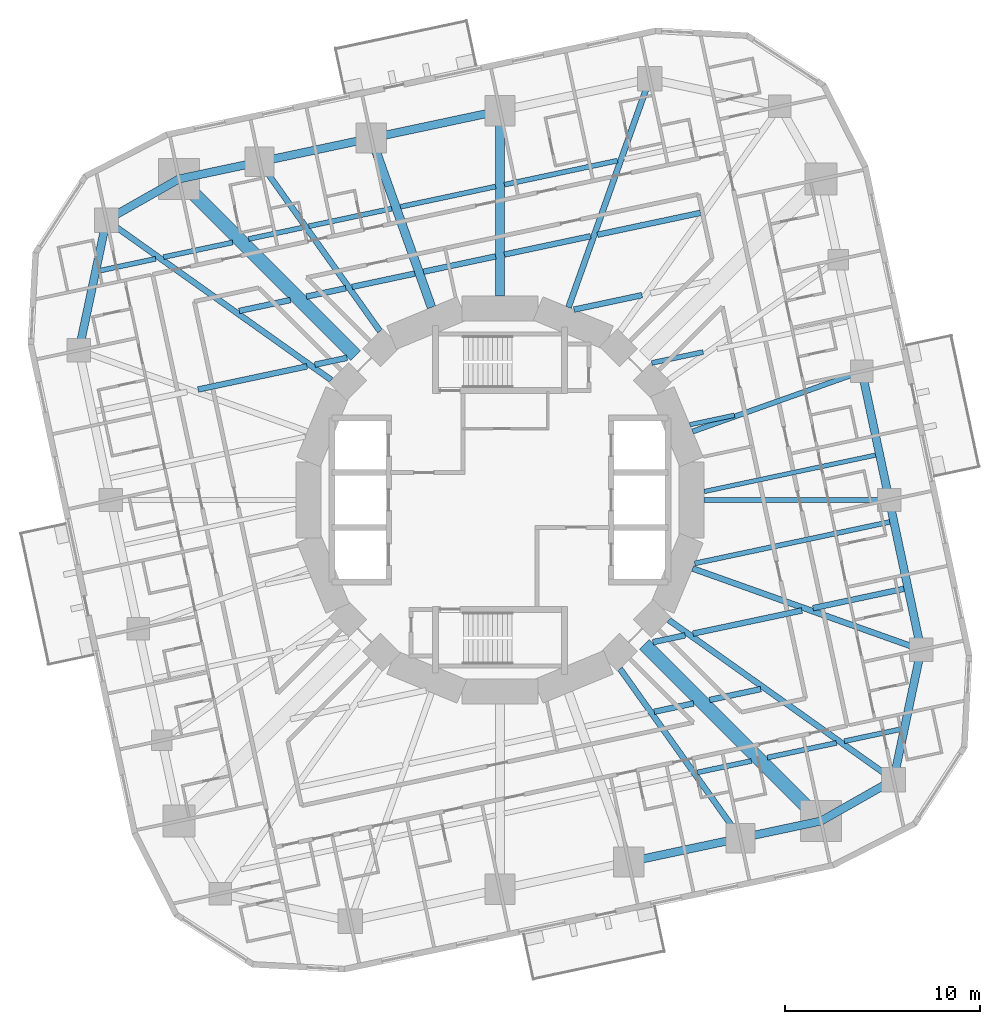
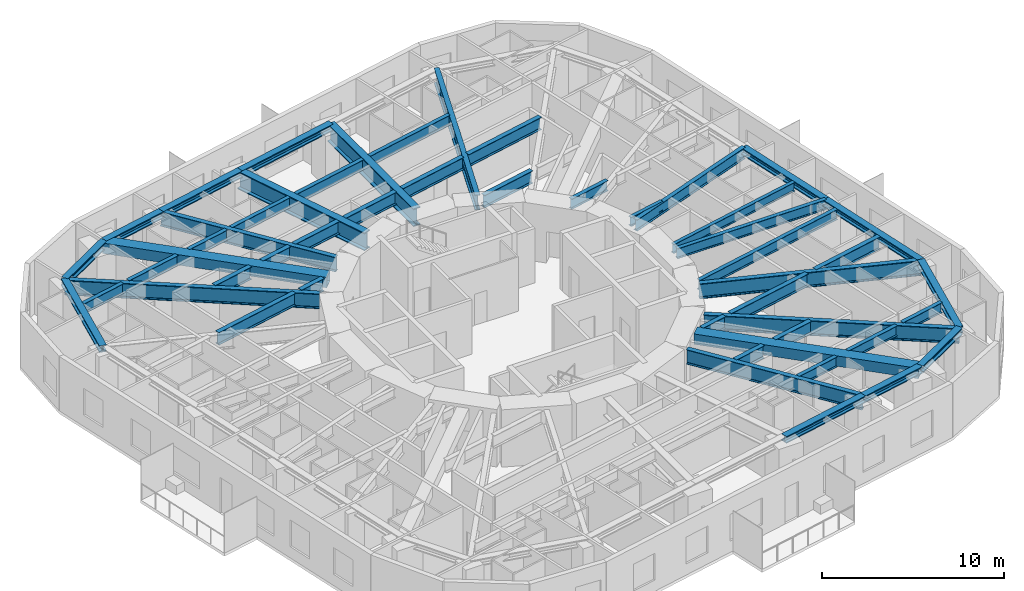
# One storey, part 2 of 13: 37 beams, 13 members.
"""IFC4 building model written with IfcOpenShell, lengths in metres."""

from ifc_helpers import new_model, si_unit, direction, frame, origin, origin_2d, place, context, subcontext, project, spatial, hollow_rectangle, i_section, extrude, material, material_profile, profile_set, type_object, element, save


model = new_model("IFC4")

# Units and contexts
model_context = context("Model", 3, precision=1e-05, world=origin(), true_north=direction((0.0, 1.0)))
body_context = subcontext(model_context, "Body", "Model", "MODEL_VIEW")
ifc_project = project(units=[si_unit("LENGTHUNIT", "METRE"), si_unit("AREAUNIT", "SQUARE_METRE"), si_unit("VOLUMEUNIT", "CUBIC_METRE"), si_unit("PLANEANGLEUNIT", "RADIAN"), si_unit("MASSUNIT", "GRAM", prefix="KILO")], contexts=[model_context])

# Site, building, storey
site_placement = place(None, origin())
site = spatial("IfcSite", under=ifc_project, at=site_placement, CompositionType="ELEMENT")
building_placement = place(site_placement, origin())
building = spatial("IfcBuilding", under=site, at=building_placement, Name="Nakasero Lantern House", CompositionType="ELEMENT")
storey_placement = place(building_placement, frame((0.0, 0.0, 131.949951171875)))
storey = spatial("IfcBuildingStorey", under=building, at=storey_placement, Name="L32", CompositionType="ELEMENT", Elevation=131.949951171875)

# Members
ifc_material_1 = material(Name="Steel S355", Category="steel")
ifc_material_profile_1 = material_profile(ifc_material_1, i_section(OverallWidth=0.41845703125, OverallDepth=0.45556640625, WebThickness=0.0419921875, FlangeThickness=0.0673828125, FilletRadius=0.01513671875, at=origin_2d()), Name="UC 356x406x551")
ifc_profile_set_1 = profile_set([ifc_material_profile_1], Name="Steel S355")
member_type_1 = type_object("IfcMemberType", Name="Belt truss chord UC 356x406x551", PredefinedType="CHORD", material=ifc_profile_set_1)
member_1_placement = place(storey_placement, frame((20.15625, -14.33349609375, 3.42236328125), z_axis=(0.206833925052, 0.978376066473, 0.0), x_axis=(-0.978376066473, 0.206833925052, 0.0)))
element("IfcMember", 1, at=member_1_placement, inside=storey, type_object=member_type_1, Name="Belt truss bottom chord T3 B3-C01", PredefinedType="CHORD", context=body_context, shape_type="SweptSolid", body=[
    extrude(i_section(OverallWidth=0.41845703125, OverallDepth=0.45556640625, WebThickness=0.0419921875, FlangeThickness=0.0673828125, FilletRadius=0.01513671875, at=origin_2d()), origin(), (0.0, 0.0, 1.0), 6.81298828125),
])
member_2_placement = place(storey_placement, frame((21.5654296875, -7.667724609375, 3.42236328125), z_axis=(-0.207918725139, 0.978146105516, 0.0), x_axis=(-0.978146105516, -0.207918725139, 0.0)))
element("IfcMember", 2, at=member_2_placement, inside=storey, type_object=member_type_1, Name="Belt truss bottom chord T3 B3-C02", PredefinedType="CHORD", context=body_context, shape_type="SweptSolid", body=[
    extrude(i_section(OverallWidth=0.41845703125, OverallDepth=0.45556640625, WebThickness=0.0419921875, FlangeThickness=0.0673828125, FilletRadius=0.01513671875, at=origin_2d()), origin(), (0.0, 0.0, 1.0), 7.839111328125),
])
for number, where, z_axis, x_axis, name in (
    (3, (19.935546875, 0.0, 3.42236328125), (-0.20789299389, 0.978151574702, 0.0), (-0.978151574702, -0.20789299389, 0.0), "Belt truss bottom chord T3 B3-C03"),
    (4, (0.0, 19.935546875, 3.42236328125), (-0.978151574702, -0.20789299389, 0.0), (0.20789299389, -0.978151574702, 0.0), "Belt truss bottom chord T3 B3-C09"),
):
    element("IfcMember", number, at=place(storey_placement, frame(where, z_axis=z_axis, x_axis=x_axis)), inside=storey, type_object=member_type_1, Name=name, PredefinedType="CHORD", context=body_context, shape_type="SweptSolid", body=[
        extrude(i_section(OverallWidth=0.41845703125, OverallDepth=0.45556640625, WebThickness=0.0419921875, FlangeThickness=0.0673828125, FilletRadius=0.01513671875, at=origin_2d()), origin(), (0.0, 0.0, 1.0), 6.7373046875),
    ])
member_3_placement = place(storey_placement, frame((-6.590087890625, 18.534912109375, 3.42236328125), z_axis=(-0.978149626621, -0.207902159541, 0.0), x_axis=(0.207902159541, -0.978149626621, 0.0)))
element("IfcMember", 5, at=member_3_placement, inside=storey, type_object=member_type_1, Name="Belt truss bottom chord T3 B3-C10", PredefinedType="CHORD", context=body_context, shape_type="SweptSolid", body=[
    extrude(i_section(OverallWidth=0.41845703125, OverallDepth=0.45556640625, WebThickness=0.0419921875, FlangeThickness=0.0673828125, FilletRadius=0.01513671875, at=origin_2d()), origin(), (0.0, 0.0, 1.0), 5.852783203125),
])
member_4_placement = place(storey_placement, frame((-12.31494140625, 17.318115234375, 3.42236328125), z_axis=(-0.978138252658, -0.207955665195, 0.0), x_axis=(0.207955665195, -0.978138252658, 0.0)))
element("IfcMember", 6, at=member_4_placement, inside=storey, type_object=member_type_1, Name="Belt truss bottom chord T3 B3-C11", PredefinedType="CHORD", context=body_context, shape_type="SweptSolid", body=[
    extrude(i_section(OverallWidth=0.41845703125, OverallDepth=0.45556640625, WebThickness=0.0419921875, FlangeThickness=0.0673828125, FilletRadius=0.01513671875, at=origin_2d()), origin(), (0.0, 0.0, 1.0), 4.21826171875),
])
member_5_placement = place(storey_placement, frame((-16.44091796875, 16.44091796875, 3.42236328125), z_axis=(-0.869814536213, -0.493378832737, 0.0), x_axis=(0.493378832737, -0.869814536213, 0.0)))
element("IfcMember", 7, at=member_5_placement, inside=storey, type_object=member_type_1, Name="Belt truss bottom chord T3 B3-C12", PredefinedType="CHORD", context=body_context, shape_type="SweptSolid", body=[
    extrude(i_section(OverallWidth=0.41845703125, OverallDepth=0.45556640625, WebThickness=0.0419921875, FlangeThickness=0.0673828125, FilletRadius=0.01513671875, at=origin_2d()), origin(), (0.0, 0.0, 1.0), 4.271484375),
])
member_6_placement = place(storey_placement, frame((-20.15625, 14.33349609375, 3.42236328125), z_axis=(-0.206833925052, -0.978376066473, 0.0), x_axis=(0.978376066473, -0.206833925052, 0.0)))
element("IfcMember", 8, at=member_6_placement, inside=storey, type_object=member_type_1, Name="Belt truss bottom chord T3 B3-C13", PredefinedType="CHORD", context=body_context, shape_type="SweptSolid", body=[
    extrude(i_section(OverallWidth=0.41845703125, OverallDepth=0.45556640625, WebThickness=0.0419921875, FlangeThickness=0.0673828125, FilletRadius=0.01513671875, at=origin_2d()), origin(), (0.0, 0.0, 1.0), 6.81298828125),
])
member_7_placement = place(storey_placement, frame((6.590087890625, -18.534912109375, 3.42236328125), z_axis=(0.978149626621, 0.207902159541, 0.0), x_axis=(-0.207902159541, 0.978149626621, 0.0)))
element("IfcMember", 9, at=member_7_placement, inside=storey, type_object=member_type_1, Name="Belt truss bottom chord T3 B3-C22", PredefinedType="CHORD", context=body_context, shape_type="SweptSolid", body=[
    extrude(i_section(OverallWidth=0.41845703125, OverallDepth=0.45556640625, WebThickness=0.0419921875, FlangeThickness=0.0673828125, FilletRadius=0.01513671875, at=origin_2d()), origin(), (0.0, 0.0, 1.0), 5.852783203125),
])
member_8_placement = place(storey_placement, frame((12.31494140625, -17.318115234375, 3.42236328125), z_axis=(0.978138252658, 0.207955665195, 0.0), x_axis=(-0.207955665195, 0.978138252658, 0.0)))
element("IfcMember", 10, at=member_8_placement, inside=storey, type_object=member_type_1, Name="Belt truss bottom chord T3 B3-C23", PredefinedType="CHORD", context=body_context, shape_type="SweptSolid", body=[
    extrude(i_section(OverallWidth=0.41845703125, OverallDepth=0.45556640625, WebThickness=0.0419921875, FlangeThickness=0.0673828125, FilletRadius=0.01513671875, at=origin_2d()), origin(), (0.0, 0.0, 1.0), 4.21826171875),
])
member_9_placement = place(storey_placement, frame((16.44091796875, -16.44091796875, 3.42236328125), z_axis=(0.869814536213, 0.493378832737, 0.0), x_axis=(-0.493378832737, 0.869814536213, 0.0)))
element("IfcMember", 11, at=member_9_placement, inside=storey, type_object=member_type_1, Name="Belt truss bottom chord T3 B3-C24", PredefinedType="CHORD", context=body_context, shape_type="SweptSolid", body=[
    extrude(i_section(OverallWidth=0.41845703125, OverallDepth=0.45556640625, WebThickness=0.0419921875, FlangeThickness=0.0673828125, FilletRadius=0.01513671875, at=origin_2d()), origin(), (0.0, 0.0, 1.0), 4.271484375),
])

# Beams
ifc_material_2 = material(Name="Steel S355", Category="steel")
ifc_material_profile_2 = material_profile(ifc_material_2, i_section(OverallWidth=0.22900390625, OverallDepth=0.6123046875, WebThickness=0.011962890625, FlangeThickness=0.01953125, FilletRadius=0.0126953125, at=origin_2d()), Name="UB 610x229x125")
ifc_profile_set_2 = profile_set([ifc_material_profile_2], Name="Steel S355")
beam_type_1 = type_object("IfcBeamType", Name="Infill beam UB 610x229x125", PredefinedType="JOIST", material=ifc_profile_set_2)
beam_1_placement = place(storey_placement, frame((10.457763671875, 0.433837890625, 3.343994140625), z_axis=(0.978148337079, 0.207908226555, 0.0), x_axis=(-0.207908226555, 0.978148337079, 0.0)))
element("IfcBeam", 12, at=beam_1_placement, inside=storey, type_object=beam_type_1, Name="Infill beam L33 07.2", PredefinedType="JOIST", context=body_context, shape_type="SweptSolid", body=[
    extrude(i_section(OverallWidth=0.22900390625, OverallDepth=0.6123046875, WebThickness=0.011962890625, FlangeThickness=0.01953125, FilletRadius=0.0126953125, at=origin_2d()), origin(), (0.0, 0.0, 1.0), 8.971435546875),
])
beam_2_placement = place(storey_placement, frame((9.722412109375, 3.855712890625, 3.343994140625), z_axis=(0.978152481644, 0.207888726617, 0.0), x_axis=(-0.207888726617, 0.978152481644, 0.0)))
element("IfcBeam", 13, at=beam_2_placement, inside=storey, type_object=beam_type_1, Name="Infill beam L33 08.2", PredefinedType="JOIST", context=body_context, shape_type="SweptSolid", body=[
    extrude(i_section(OverallWidth=0.22900390625, OverallDepth=0.6123046875, WebThickness=0.011962890625, FlangeThickness=0.01953125, FilletRadius=0.0126953125, at=origin_2d()), origin(), (0.0, 0.0, 1.0), 2.338134765625),
])
ifc_material_3 = material(Name="Steel S355", Category="steel")
ifc_material_profile_3 = material_profile(ifc_material_3, i_section(OverallWidth=0.253662109375, OverallDepth=0.68359375, WebThickness=0.012451171875, FlangeThickness=0.01904296875, FilletRadius=0.01513671875, at=origin_2d()), Name="UB 686x254x140")
ifc_profile_set_3 = profile_set([ifc_material_profile_3], Name="Steel S355")
beam_type_2 = type_object("IfcBeamType", Name="Infill beam UB 686x254x140", PredefinedType="JOIST", material=ifc_profile_set_3)
beam_3_placement = place(storey_placement, frame((10.106689453125, -13.95361328125, 3.308349609375), z_axis=(0.978143699529, 0.207930043696, 0.0), x_axis=(-0.207930043696, 0.978143699529, 0.0)))
element("IfcBeam", 14, at=beam_3_placement, inside=storey, type_object=beam_type_2, Name="Infill beam L33 03.5", PredefinedType="JOIST", context=body_context, shape_type="SweptSolid", body=[
    extrude(i_section(OverallWidth=0.253662109375, OverallDepth=0.68359375, WebThickness=0.012451171875, FlangeThickness=0.01904296875, FilletRadius=0.01513671875, at=origin_2d()), origin(), (0.0, 0.0, 1.0), 2.826171875),
])
beam_4_placement = place(storey_placement, frame((13.6875, -13.1923828125, 3.308349609375), z_axis=(0.978159878312, 0.207853920967, 0.0), x_axis=(-0.207853920967, 0.978159878312, 0.0)))
element("IfcBeam", 15, at=beam_4_placement, inside=storey, type_object=beam_type_2, Name="Infill beam L33 03.6", PredefinedType="JOIST", context=body_context, shape_type="SweptSolid", body=[
    extrude(i_section(OverallWidth=0.253662109375, OverallDepth=0.68359375, WebThickness=0.012451171875, FlangeThickness=0.01904296875, FilletRadius=0.01513671875, at=origin_2d()), origin(), (0.0, 0.0, 1.0), 3.62353515625),
])
beam_5_placement = place(storey_placement, frame((17.633056640625, -12.353759765625, 3.308349609375), z_axis=(0.978159488398, 0.20785575589, 0.0), x_axis=(-0.20785575589, 0.978159488398, 0.0)))
element("IfcBeam", 16, at=beam_5_placement, inside=storey, type_object=beam_type_2, Name="Infill beam L33 03.7", PredefinedType="JOIST", context=body_context, shape_type="SweptSolid", body=[
    extrude(i_section(OverallWidth=0.253662109375, OverallDepth=0.68359375, WebThickness=0.012451171875, FlangeThickness=0.01904296875, FilletRadius=0.01513671875, at=origin_2d()), origin(), (0.0, 0.0, 1.0), 2.919921875),
])
beam_6_placement = place(storey_placement, frame((9.974365234375, -3.2470703125, 3.308349609375), z_axis=(0.978149612104, 0.207902227842, 0.0), x_axis=(-0.207902227842, 0.978149612104, 0.0)))
element("IfcBeam", 17, at=beam_6_placement, inside=storey, type_object=beam_type_2, Name="Infill beam L33 06.3", PredefinedType="JOIST", context=body_context, shape_type="SweptSolid", body=[
    extrude(i_section(OverallWidth=0.253662109375, OverallDepth=0.68359375, WebThickness=0.012451171875, FlangeThickness=0.01904296875, FilletRadius=0.01513671875, at=origin_2d()), origin(), (0.0, 0.0, 1.0), 10.20947265625),
])
beam_7_placement = place(storey_placement, frame((7.770751953125, 7.01904296875, 3.308349609375), z_axis=(0.978149867125, 0.207901027998, 0.0), x_axis=(-0.207901027998, 0.978149867125, 0.0)))
element("IfcBeam", 18, at=beam_7_placement, inside=storey, type_object=beam_type_2, Name="Infill beam L33 09.2", PredefinedType="JOIST", context=body_context, shape_type="SweptSolid", body=[
    extrude(i_section(OverallWidth=0.253662109375, OverallDepth=0.68359375, WebThickness=0.012451171875, FlangeThickness=0.01904296875, FilletRadius=0.01513671875, at=origin_2d()), origin(), (0.0, 0.0, 1.0), 2.69384765625),
])
beam_8_placement = place(storey_placement, frame((-20.4892578125, 11.746826171875, 3.308349609375), z_axis=(0.978159488398, 0.20785575589, 0.0), x_axis=(-0.20785575589, 0.978159488398, 0.0)))
element("IfcBeam", 19, at=beam_8_placement, inside=storey, type_object=beam_type_2, Name="Infill beam L33 12.1", PredefinedType="JOIST", context=body_context, shape_type="SweptSolid", body=[
    extrude(i_section(OverallWidth=0.253662109375, OverallDepth=0.68359375, WebThickness=0.012451171875, FlangeThickness=0.01904296875, FilletRadius=0.01513671875, at=origin_2d()), origin(), (0.0, 0.0, 1.0), 2.919921875),
])
beam_9_placement = place(storey_placement, frame((-17.23193359375, 12.439208984375, 3.308349609375), z_axis=(0.978159878312, 0.207853920967, 0.0), x_axis=(-0.207853920967, 0.978159878312, 0.0)))
element("IfcBeam", 20, at=beam_9_placement, inside=storey, type_object=beam_type_2, Name="Infill beam L33 12.2", PredefinedType="JOIST", context=body_context, shape_type="SweptSolid", body=[
    extrude(i_section(OverallWidth=0.253662109375, OverallDepth=0.68359375, WebThickness=0.012451171875, FlangeThickness=0.01904296875, FilletRadius=0.01513671875, at=origin_2d()), origin(), (0.0, 0.0, 1.0), 3.62353515625),
])
beam_10_placement = place(storey_placement, frame((-12.87109375, 13.365966796875, 3.308349609375), z_axis=(0.978143699529, 0.207930043696, 0.0), x_axis=(-0.207930043696, 0.978143699529, 0.0)))
element("IfcBeam", 21, at=beam_10_placement, inside=storey, type_object=beam_type_2, Name="Infill beam L33 12.3", PredefinedType="JOIST", context=body_context, shape_type="SweptSolid", body=[
    extrude(i_section(OverallWidth=0.253662109375, OverallDepth=0.68359375, WebThickness=0.012451171875, FlangeThickness=0.01904296875, FilletRadius=0.01513671875, at=origin_2d()), origin(), (0.0, 0.0, 1.0), 2.826171875),
])
beam_11_placement = place(storey_placement, frame((-9.786865234375, 14.021484375, 3.308349609375), z_axis=(0.978138100203, 0.207956382282, 0.0), x_axis=(-0.207956382282, 0.978138100203, 0.0)))
element("IfcBeam", 22, at=beam_11_placement, inside=storey, type_object=beam_type_2, Name="Infill beam L33 12.4", PredefinedType="JOIST", context=body_context, shape_type="SweptSolid", body=[
    extrude(i_section(OverallWidth=0.253662109375, OverallDepth=0.68359375, WebThickness=0.012451171875, FlangeThickness=0.01904296875, FilletRadius=0.01513671875, at=origin_2d()), origin(), (0.0, 0.0, 1.0), 4.336669921875),
])
beam_12_placement = place(storey_placement, frame((-5.100830078125, 15.017578125, 3.308349609375), z_axis=(0.978147272959, 0.207913232873, 0.0), x_axis=(-0.207913232873, 0.978147272959, 0.0)))
element("IfcBeam", 23, at=beam_12_placement, inside=storey, type_object=beam_type_2, Name="Infill beam L33 12.5", PredefinedType="JOIST", context=body_context, shape_type="SweptSolid", body=[
    extrude(i_section(OverallWidth=0.253662109375, OverallDepth=0.68359375, WebThickness=0.012451171875, FlangeThickness=0.01904296875, FilletRadius=0.01513671875, at=origin_2d()), origin(), (0.0, 0.0, 1.0), 4.984619140625),
])
beam_13_placement = place(storey_placement, frame((0.22509765625, 16.149658203125, 3.308349609375), z_axis=(0.978144288805, 0.207927271606, 0.0), x_axis=(-0.207927271606, 0.978144288805, 0.0)))
element("IfcBeam", 24, at=beam_13_placement, inside=storey, type_object=beam_type_2, Name="Infill beam L33 12.6", PredefinedType="JOIST", context=body_context, shape_type="SweptSolid", body=[
    extrude(i_section(OverallWidth=0.253662109375, OverallDepth=0.68359375, WebThickness=0.012451171875, FlangeThickness=0.01904296875, FilletRadius=0.01513671875, at=origin_2d()), origin(), (0.0, 0.0, 1.0), 5.923583984375),
])
ifc_material_4 = material(Name="Steel S355", Category="steel")
ifc_material_profile_4 = material_profile(ifc_material_4, i_section(OverallWidth=0.29248046875, OverallDepth=0.8408203125, WebThickness=0.0146484375, FlangeThickness=0.02685546875, FilletRadius=0.017822265625, at=origin_2d()), Name="UB 838x292x194")
ifc_profile_set_4 = profile_set([ifc_material_profile_4], Name="Steel S355")
beam_type_3 = type_object("IfcBeamType", Name="Infill beam UB 838x292x194", PredefinedType="JOIST", material=ifc_profile_set_4)
beam_14_placement = place(storey_placement, frame((7.896240234375, -10.84521484375, 3.229736328125), z_axis=(0.978149853786, 0.207901090757, 0.0), x_axis=(-0.207901090757, 0.978149853786, 0.0)))
element("IfcBeam", 25, at=beam_14_placement, inside=storey, type_object=beam_type_3, Name="Infill beam L33 04.5", PredefinedType="JOIST", context=body_context, shape_type="SweptSolid", body=[
    extrude(i_section(OverallWidth=0.29248046875, OverallDepth=0.8408203125, WebThickness=0.0146484375, FlangeThickness=0.02685546875, FilletRadius=0.017822265625, at=origin_2d()), origin(), (0.0, 0.0, 1.0), 2.069091796875),
])
beam_15_placement = place(storey_placement, frame((10.736572265625, -10.241455078125, 3.229736328125), z_axis=(0.97815560964, 0.207874008307, 0.0), x_axis=(-0.207874008307, 0.97815560964, 0.0)))
element("IfcBeam", 26, at=beam_15_placement, inside=storey, type_object=beam_type_3, Name="Infill beam L33 04.6", PredefinedType="JOIST", context=body_context, shape_type="SweptSolid", body=[
    extrude(i_section(OverallWidth=0.29248046875, OverallDepth=0.8408203125, WebThickness=0.0146484375, FlangeThickness=0.02685546875, FilletRadius=0.017822265625, at=origin_2d()), origin(), (0.0, 0.0, 1.0), 2.68017578125),
])
beam_16_placement = place(storey_placement, frame((7.829833984375, -7.28125, 3.229736328125), z_axis=(0.978126554769, 0.208010679667, 0.0), x_axis=(-0.208010679667, 0.978126554769, 0.0)))
element("IfcBeam", 27, at=beam_16_placement, inside=storey, type_object=beam_type_3, Name="Infill beam L33 05.3", PredefinedType="JOIST", context=body_context, shape_type="SweptSolid", body=[
    extrude(i_section(OverallWidth=0.29248046875, OverallDepth=0.8408203125, WebThickness=0.0146484375, FlangeThickness=0.02685546875, FilletRadius=0.017822265625, at=origin_2d()), origin(), (0.0, 0.0, 1.0), 1.69140625),
])
beam_17_placement = place(storey_placement, frame((9.88525390625, -6.84423828125, 3.229736328125), z_axis=(0.978148185922, 0.207908937706, 0.0), x_axis=(-0.207908937706, 0.978148185922, 0.0)))
element("IfcBeam", 28, at=beam_17_placement, inside=storey, type_object=beam_type_3, Name="Infill beam L33 05.4", PredefinedType="JOIST", context=body_context, shape_type="SweptSolid", body=[
    extrude(i_section(OverallWidth=0.29248046875, OverallDepth=0.8408203125, WebThickness=0.0146484375, FlangeThickness=0.02685546875, FilletRadius=0.017822265625, at=origin_2d()), origin(), (0.0, 0.0, 1.0), 5.7021484375),
])
beam_18_placement = place(storey_placement, frame((16.029052734375, -5.538330078125, 3.229736328125), z_axis=(0.978154291668, 0.207880209956, 0.0), x_axis=(-0.207880209956, 0.978154291668, 0.0)))
element("IfcBeam", 29, at=beam_18_placement, inside=storey, type_object=beam_type_3, Name="Infill beam L33 05.5", PredefinedType="JOIST", context=body_context, shape_type="SweptSolid", body=[
    extrude(i_section(OverallWidth=0.29248046875, OverallDepth=0.8408203125, WebThickness=0.0146484375, FlangeThickness=0.02685546875, FilletRadius=0.017822265625, at=origin_2d()), origin(), (0.0, 0.0, 1.0), 4.763427734375),
])
beam_19_placement = place(storey_placement, frame((-15.462890625, 5.65869140625, 3.229736328125), z_axis=(0.978148185922, 0.207908937706, 0.0), x_axis=(-0.207908937706, 0.978148185922, 0.0)))
element("IfcBeam", 30, at=beam_19_placement, inside=storey, type_object=beam_type_3, Name="Infill beam L33 10.2", PredefinedType="JOIST", context=body_context, shape_type="SweptSolid", body=[
    extrude(i_section(OverallWidth=0.29248046875, OverallDepth=0.8408203125, WebThickness=0.0146484375, FlangeThickness=0.02685546875, FilletRadius=0.017822265625, at=origin_2d()), origin(), (0.0, 0.0, 1.0), 5.7021484375),
])
beam_20_placement = place(storey_placement, frame((-9.484130859375, 6.929443359375, 3.229736328125), z_axis=(0.978126554769, 0.208010679667, 0.0), x_axis=(-0.208010679667, 0.978126554769, 0.0)))
element("IfcBeam", 31, at=beam_20_placement, inside=storey, type_object=beam_type_3, Name="Infill beam L33 10.3", PredefinedType="JOIST", context=body_context, shape_type="SweptSolid", body=[
    extrude(i_section(OverallWidth=0.29248046875, OverallDepth=0.8408203125, WebThickness=0.0146484375, FlangeThickness=0.02685546875, FilletRadius=0.017822265625, at=origin_2d()), origin(), (0.0, 0.0, 1.0), 1.69140625),
])
beam_21_placement = place(storey_placement, frame((3.78759765625, 9.75048828125, 3.229736328125), z_axis=(0.978144754651, 0.207925080134, 0.0), x_axis=(-0.207925080134, 0.978144754651, 0.0)))
element("IfcBeam", 32, at=beam_21_placement, inside=storey, type_object=beam_type_3, Name="Infill beam L33 10.4", PredefinedType="JOIST", context=body_context, shape_type="SweptSolid", body=[
    extrude(i_section(OverallWidth=0.29248046875, OverallDepth=0.8408203125, WebThickness=0.0146484375, FlangeThickness=0.02685546875, FilletRadius=0.017822265625, at=origin_2d()), origin(), (0.0, 0.0, 1.0), 3.56591796875),
])
beam_22_placement = place(storey_placement, frame((-13.358154296875, 9.684326171875, 3.229736328125), z_axis=(0.97815560964, 0.207874008307, 0.0), x_axis=(-0.207874008307, 0.97815560964, 0.0)))
element("IfcBeam", 33, at=beam_22_placement, inside=storey, type_object=beam_type_3, Name="Infill beam L33 11.1", PredefinedType="JOIST", context=body_context, shape_type="SweptSolid", body=[
    extrude(i_section(OverallWidth=0.29248046875, OverallDepth=0.8408203125, WebThickness=0.0146484375, FlangeThickness=0.02685546875, FilletRadius=0.017822265625, at=origin_2d()), origin(), (0.0, 0.0, 1.0), 2.68017578125),
])
beam_23_placement = place(storey_placement, frame((-9.920166015625, 10.4150390625, 3.229736328125), z_axis=(0.978149853786, 0.207901090757, 0.0), x_axis=(-0.207901090757, 0.978149853786, 0.0)))
element("IfcBeam", 34, at=beam_23_placement, inside=storey, type_object=beam_type_3, Name="Infill beam L33 11.2", PredefinedType="JOIST", context=body_context, shape_type="SweptSolid", body=[
    extrude(i_section(OverallWidth=0.29248046875, OverallDepth=0.8408203125, WebThickness=0.0146484375, FlangeThickness=0.02685546875, FilletRadius=0.017822265625, at=origin_2d()), origin(), (0.0, 0.0, 1.0), 2.069091796875),
])
beam_24_placement = place(storey_placement, frame((-7.576416015625, 10.913330078125, 3.229736328125), z_axis=(0.978155452076, 0.207874749727, 0.0), x_axis=(-0.207874749727, 0.978155452076, 0.0)))
element("IfcBeam", 35, at=beam_24_placement, inside=storey, type_object=beam_type_3, Name="Infill beam L33 11.3", PredefinedType="JOIST", context=body_context, shape_type="SweptSolid", body=[
    extrude(i_section(OverallWidth=0.29248046875, OverallDepth=0.8408203125, WebThickness=0.0146484375, FlangeThickness=0.02685546875, FilletRadius=0.017822265625, at=origin_2d()), origin(), (0.0, 0.0, 1.0), 3.2861328125),
])
beam_25_placement = place(storey_placement, frame((-3.91796875, 11.69091796875, 3.229736328125), z_axis=(0.97814931761, 0.207903613389, 0.0), x_axis=(-0.207903613389, 0.97814931761, 0.0)))
element("IfcBeam", 36, at=beam_25_placement, inside=storey, type_object=beam_type_3, Name="Infill beam L33 11.4", PredefinedType="JOIST", context=body_context, shape_type="SweptSolid", body=[
    extrude(i_section(OverallWidth=0.29248046875, OverallDepth=0.8408203125, WebThickness=0.0146484375, FlangeThickness=0.02685546875, FilletRadius=0.017822265625, at=origin_2d()), origin(), (0.0, 0.0, 1.0), 3.775390625),
])
beam_26_placement = place(storey_placement, frame((0.22509765625, 12.571533203125, 3.229736328125), z_axis=(0.978152256367, 0.207889786582, 0.0), x_axis=(-0.207889786582, 0.978152256367, 0.0)))
element("IfcBeam", 37, at=beam_26_placement, inside=storey, type_object=beam_type_3, Name="Infill beam L33 11.5", PredefinedType="JOIST", context=body_context, shape_type="SweptSolid", body=[
    extrude(i_section(OverallWidth=0.29248046875, OverallDepth=0.8408203125, WebThickness=0.0146484375, FlangeThickness=0.02685546875, FilletRadius=0.017822265625, at=origin_2d()), origin(), (0.0, 0.0, 1.0), 4.5166015625),
])
beam_27_placement = place(storey_placement, frame((4.99072265625, 13.58447265625, 3.229736328125), z_axis=(0.978148394373, 0.207907957005, 0.0), x_axis=(-0.207907957005, 0.978148394373, 0.0)))
element("IfcBeam", 38, at=beam_27_placement, inside=storey, type_object=beam_type_3, Name="Infill beam L33 11.6", PredefinedType="JOIST", context=body_context, shape_type="SweptSolid", body=[
    extrude(i_section(OverallWidth=0.29248046875, OverallDepth=0.8408203125, WebThickness=0.0146484375, FlangeThickness=0.02685546875, FilletRadius=0.017822265625, at=origin_2d()), origin(), (0.0, 0.0, 1.0), 5.400390625),
])

# Members
ifc_material_5 = material(Name="Steel S355", Category="steel")
ifc_material_profile_5 = material_profile(ifc_material_5, hollow_rectangle(XDim=0.699951171875, YDim=0.699951171875, WallThickness=0.050048828125, at=origin_2d()), Name="BOX 700x700x50")
ifc_profile_set_5 = profile_set([ifc_material_profile_5], Name="Steel S355")
member_type_2 = type_object("IfcMemberType", Name="Outrigger chord BOX 700x700x50", PredefinedType="CHORD", material=ifc_profile_set_5)
for number, where, z_axis, x_axis, name in (
    (39, (-16.44091796875, 16.44091796875, 3.300048828125), (0.707106781187, -0.707106781187, 0.0), (0.707106781187, 0.707106781187, 0.0), "Outrigger chord L33 B3-C12"),
    (40, (16.44091796875, -16.44091796875, 3.300048828125), (-0.707106781187, 0.707106781187, 0.0), (-0.707106781187, -0.707106781187, 0.0), "Outrigger chord L33 B3-C24"),
):
    element("IfcMember", number, at=place(storey_placement, frame(where, z_axis=z_axis, x_axis=x_axis)), inside=storey, type_object=member_type_2, Name=name, PredefinedType="CHORD", context=body_context, shape_type="SweptSolid", body=[
        extrude(hollow_rectangle(XDim=0.699951171875, YDim=0.699951171875, WallThickness=0.050048828125, at=origin_2d()), origin(), (0.0, 0.0, 1.0), 12.793212890625),
    ])

# Beams
ifc_material_6 = material(Name="Steel S355", Category="steel")
ifc_material_profile_6 = material_profile(ifc_material_6, i_section(OverallWidth=0.449951171875, OverallDepth=1.199951171875, WebThickness=0.02490234375, FlangeThickness=0.06005859375, at=origin_2d()), Name="PG 1200x450x636")
ifc_profile_set_6 = profile_set([ifc_material_profile_6], Name="Steel S355")
beam_type_4 = type_object("IfcBeamType", Name="Primary beam PG 1200x450x636, span 9 to 12 m", PredefinedType="BEAM", material=ifc_profile_set_6)
beam_28_placement = place(storey_placement, frame((0.0, 19.935546875, 3.050048828125), z_axis=(0.0, -1.0, 0.0), x_axis=(1.0, 0.0, 0.0)))
element("IfcBeam", 41, at=beam_28_placement, inside=storey, type_object=beam_type_4, Name="Primary beam L33 B3-C09", PredefinedType="BEAM", context=body_context, shape_type="SweptSolid", body=[
    extrude(i_section(OverallWidth=0.449951171875, OverallDepth=1.199951171875, WebThickness=0.02490234375, FlangeThickness=0.06005859375, at=origin_2d()), origin(), (0.0, 0.0, 1.0), 9.477783203125),
])
beam_29_placement = place(storey_placement, frame((-6.590087890625, 18.534912109375, 3.050048828125), z_axis=(0.335001291255, -0.942217668513, 0.0), x_axis=(0.942217668513, 0.335001291255, 0.0)))
element("IfcBeam", 42, at=beam_29_placement, inside=storey, type_object=beam_type_4, Name="Primary beam L33 B3-C10", PredefinedType="BEAM", context=body_context, shape_type="SweptSolid", body=[
    extrude(i_section(OverallWidth=0.449951171875, OverallDepth=1.199951171875, WebThickness=0.02490234375, FlangeThickness=0.06005859375, at=origin_2d()), origin(), (0.0, 0.0, 1.0), 9.199951171875),
])
ifc_material_7 = material(Name="Steel S355", Category="steel")
ifc_material_profile_7 = material_profile(ifc_material_7, i_section(OverallWidth=0.300048828125, OverallDepth=0.97998046875, WebThickness=0.0166015625, FlangeThickness=0.02587890625, FilletRadius=0.030029296875, at=origin_2d()), Name="UB 1016x305x249")
ifc_profile_set_7 = profile_set([ifc_material_profile_7], Name="Steel S355")
beam_type_5 = type_object("IfcBeamType", Name="Primary beam UB 1016x305x249, span 9 to 12 m", PredefinedType="BEAM", material=ifc_profile_set_7)
for number, where, z_axis, x_axis, name in (
    (43, (-12.31494140625, 17.318115234375, 3.159912109375), (0.579520739774, -0.814957491022, 0.0), (0.814957491022, 0.579520739774, 0.0), "Primary beam L33 B3-C11"),
    (44, (12.31494140625, -17.318115234375, 3.159912109375), (-0.579520739774, 0.814957491022, 0.0), (-0.814957491022, -0.579520739774, 0.0), "Primary beam L33 B3-C23"),
):
    element("IfcBeam", number, at=place(storey_placement, frame(where, z_axis=z_axis, x_axis=x_axis)), inside=storey, type_object=beam_type_5, Name=name, PredefinedType="BEAM", context=body_context, shape_type="SweptSolid", body=[
        extrude(i_section(OverallWidth=0.300048828125, OverallDepth=0.97998046875, WebThickness=0.0166015625, FlangeThickness=0.02587890625, FilletRadius=0.030029296875, at=origin_2d()), origin(), (0.0, 0.0, 1.0), 10.64453125),
    ])
ifc_material_8 = material(Name="Steel S355", Category="steel")
ifc_material_profile_8 = material_profile(ifc_material_8, i_section(OverallWidth=0.302001953125, OverallDepth=1.008056640625, WebThickness=0.02099609375, FlangeThickness=0.0400390625, FilletRadius=0.030029296875, at=origin_2d()), Name="UB 1016x305x349")
ifc_profile_set_8 = profile_set([ifc_material_profile_8], Name="Steel S355")
beam_type_6 = type_object("IfcBeamType", Name="Primary beam UB 1016x305x349, span 12 to 15 m", PredefinedType="BEAM", material=ifc_profile_set_8)
for number, where, z_axis, x_axis, name in (
    (45, (20.15625, -14.33349609375, 3.095947265625), (-0.814946074386, 0.57953679421, 0.0), (-0.57953679421, -0.814946074386, 0.0), "Primary beam L33 B3-C01"),
    (46, (-20.15625, 14.33349609375, 3.095947265625), (0.814946074386, -0.57953679421, 0.0), (0.57953679421, 0.814946074386, 0.0), "Primary beam L33 B3-C13"),
):
    element("IfcBeam", number, at=place(storey_placement, frame(where, z_axis=z_axis, x_axis=x_axis)), inside=storey, type_object=beam_type_6, Name=name, PredefinedType="BEAM", context=body_context, shape_type="SweptSolid", body=[
        extrude(i_section(OverallWidth=0.302001953125, OverallDepth=1.008056640625, WebThickness=0.02099609375, FlangeThickness=0.0400390625, FilletRadius=0.030029296875, at=origin_2d()), origin(), (0.0, 0.0, 1.0), 14.127197265625),
    ])
ifc_material_9 = material(Name="Steel S355", Category="steel")
ifc_material_profile_9 = material_profile(ifc_material_9, i_section(OverallWidth=0.302978515625, OverallDepth=1.015869140625, WebThickness=0.0244140625, FlangeThickness=0.0439453125, FilletRadius=0.030029296875, at=origin_2d()), Name="UB 1016x305x393")
ifc_profile_set_9 = profile_set([ifc_material_profile_9], Name="Steel S355")
beam_type_7 = type_object("IfcBeamType", Name="Primary beam UB 1016x305x393, span 12 to 15 m", PredefinedType="BEAM", material=ifc_profile_set_9)
for number, where, z_axis, x_axis, name in (
    (47, (21.5654296875, -7.667724609375, 3.14208984375), (-0.942213862739, 0.335011995103, 0.0), (-0.335011995103, -0.942213862739, 0.0), "Primary beam L33 B3-C02"),
    (48, (7.667724609375, 21.5654296875, 3.14208984375), (-0.335011995103, -0.942213862739, 0.0), (0.942213862739, -0.335011995103, 0.0), "Primary beam L33 B3-C08"),
):
    element("IfcBeam", number, at=place(storey_placement, frame(where, z_axis=z_axis, x_axis=x_axis)), inside=storey, type_object=beam_type_7, Name=name, PredefinedType="BEAM", context=body_context, shape_type="SweptSolid", body=[
        extrude(i_section(OverallWidth=0.302978515625, OverallDepth=1.015869140625, WebThickness=0.0244140625, FlangeThickness=0.0439453125, FilletRadius=0.030029296875, at=origin_2d()), origin(), (0.0, 0.0, 1.0), 12.41650390625),
    ])
ifc_material_10 = material(Name="Steel S355", Category="steel")
ifc_material_profile_10 = material_profile(ifc_material_10, i_section(OverallWidth=0.253662109375, OverallDepth=0.68359375, WebThickness=0.012451171875, FlangeThickness=0.01904296875, FilletRadius=0.01513671875, at=origin_2d()), Name="UB 686x254x140")
ifc_profile_set_10 = profile_set([ifc_material_profile_10], Name="Steel S355")
beam_type_8 = type_object("IfcBeamType", Name="Primary beam UB 686x254x140, span 9 to 12 m", PredefinedType="BEAM", material=ifc_profile_set_10)
beam_30_placement = place(storey_placement, frame((19.935546875, 0.0, 3.308349609375), z_axis=(-1.0, 0.0, 0.0), x_axis=(0.0, -1.0, 0.0)))
element("IfcBeam", 49, at=beam_30_placement, inside=storey, type_object=beam_type_8, Name="Primary beam L33 B3-C03", PredefinedType="BEAM", context=body_context, shape_type="SweptSolid", body=[
    extrude(i_section(OverallWidth=0.253662109375, OverallDepth=0.68359375, WebThickness=0.012451171875, FlangeThickness=0.01904296875, FilletRadius=0.01513671875, at=origin_2d()), origin(), (0.0, 0.0, 1.0), 9.477783203125),
])
ifc_material_11 = material(Name="Steel S355", Category="steel")
ifc_material_profile_11 = material_profile(ifc_material_11, i_section(OverallWidth=0.2666015625, OverallDepth=0.76220703125, WebThickness=0.014404296875, FlangeThickness=0.021484375, FilletRadius=0.0166015625, at=origin_2d()), Name="UB 762x267x173")
ifc_profile_set_11 = profile_set([ifc_material_profile_11], Name="Steel S355")
beam_type_9 = type_object("IfcBeamType", Name="Primary beam UB 762x267x173, span 9 to 12 m", PredefinedType="BEAM", material=ifc_profile_set_11)
beam_31_placement = place(storey_placement, frame((18.534912109375, 6.590087890625, 3.26904296875), z_axis=(-0.942217668513, -0.335001291255, 0.0), x_axis=(0.335001291255, -0.942217668513, 0.0)))
element("IfcBeam", 50, at=beam_31_placement, inside=storey, type_object=beam_type_9, Name="Primary beam L33 B3-C04", PredefinedType="BEAM", context=body_context, shape_type="SweptSolid", body=[
    extrude(i_section(OverallWidth=0.2666015625, OverallDepth=0.76220703125, WebThickness=0.014404296875, FlangeThickness=0.021484375, FilletRadius=0.0166015625, at=origin_2d()), origin(), (0.0, 0.0, 1.0), 9.199951171875),
])

save(model, "model.ifc")
